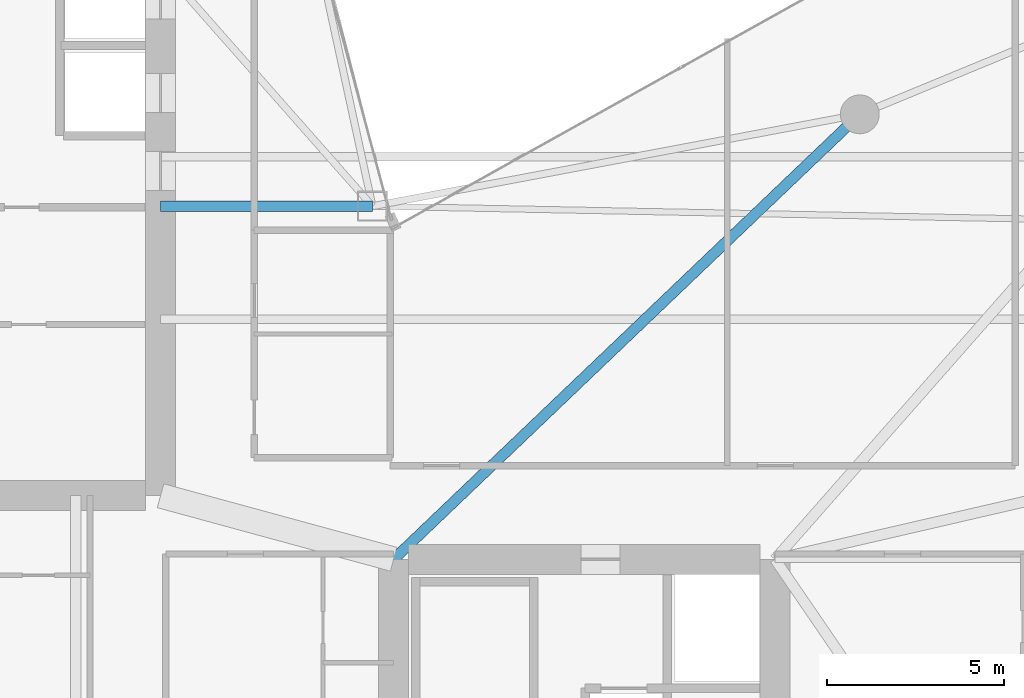
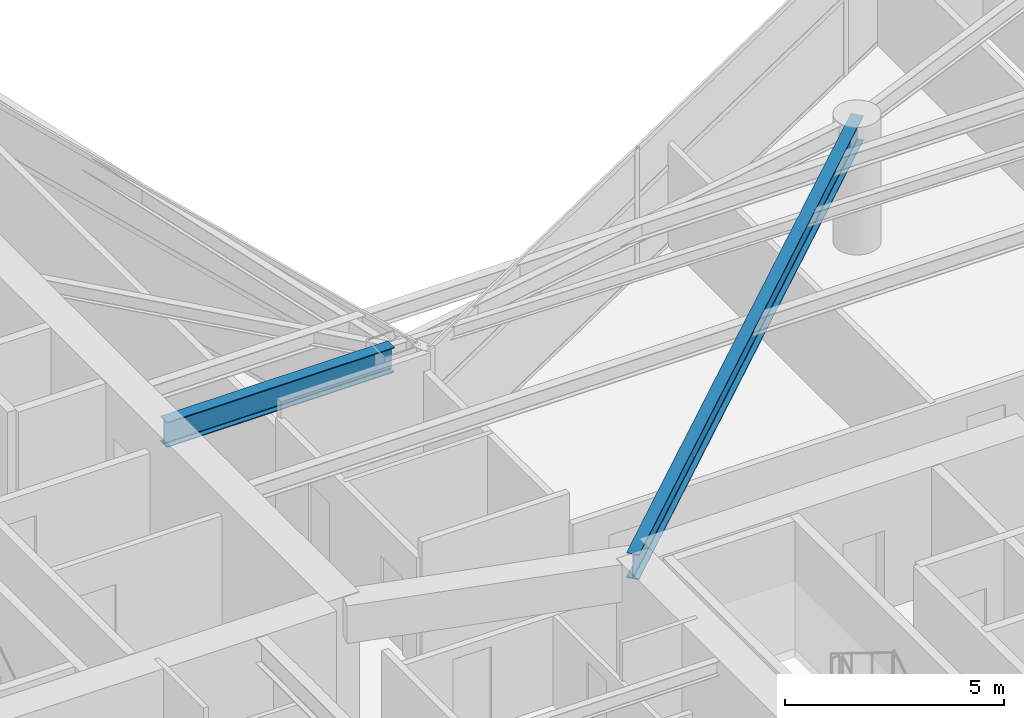
# One storey, part 9 of 28: 2 beams.
"""IFC4 building model written with IfcOpenShell, lengths in metres."""

from ifc_helpers import new_model, si_unit, direction, frame, origin, origin_2d, place, context, subcontext, project, spatial, i_section, extrude, material, material_profile, profile_set, type_object, element, save


model = new_model("IFC4")

# Units and contexts
model_context = context("Model", 3, precision=1e-05, world=origin(), true_north=direction((0.0, 1.0)))
body_context = subcontext(model_context, "Body", "Model", "MODEL_VIEW")
ifc_project = project(units=[si_unit("LENGTHUNIT", "METRE"), si_unit("AREAUNIT", "SQUARE_METRE"), si_unit("VOLUMEUNIT", "CUBIC_METRE"), si_unit("PLANEANGLEUNIT", "RADIAN"), si_unit("MASSUNIT", "GRAM", prefix="KILO")], contexts=[model_context])

# Site, building, storey
site_placement = place(None, origin())
site = spatial("IfcSite", under=ifc_project, at=site_placement, CompositionType="ELEMENT")
building_placement = place(site_placement, origin())
building = spatial("IfcBuilding", under=site, at=building_placement, Name="Calvorn Quay Hotel", CompositionType="ELEMENT")
storey_placement = place(building_placement, frame((0.0, 0.0, 131.60009765625)))
storey = spatial("IfcBuildingStorey", under=building, at=storey_placement, Name="L32", CompositionType="ELEMENT", Elevation=131.60009765625)

# Beams
ifc_material = material(Name="Steel Q390GJC", Category="steel")
ifc_material_profile = material_profile(ifc_material, i_section(OverallWidth=0.300048828125, OverallDepth=0.699951171875, WebThickness=0.012939453125, FlangeThickness=0.02392578125, FilletRadius=0.02392578125, at=origin_2d()), Name="HN700x300x13x24")
ifc_profile_set = profile_set([ifc_material_profile], Name="Steel Q390GJC")
beam_type = type_object("IfcBeamType", Name="BM-GIRD-MAIN", PredefinedType="BEAM", material=ifc_profile_set)
beam_1_placement = place(storey_placement, frame((21.0, 25.0, 3.18994140625), z_axis=(-1.0, 0.0, 0.0), x_axis=(0.0, -1.0, 0.0)))
element("IfcBeam", 1, at=beam_1_placement, inside=storey, type_object=beam_type, Name="Beam BG-L32-W7", PredefinedType="BEAM", context=body_context, shape_type="SweptSolid", body=[
    extrude(i_section(OverallWidth=0.300048828125, OverallDepth=0.699951171875, WebThickness=0.012939453125, FlangeThickness=0.02392578125, FilletRadius=0.02392578125, at=origin_2d()), origin(), (0.0, 0.0, 1.0), 6.0),
])
beam_2_placement = place(storey_placement, frame((21.60009765625, 15.0, 3.18994140625), z_axis=(0.723351595578, 0.690479883252, 0.0), x_axis=(-0.690479883252, 0.723351595578, 0.0)))
element("IfcBeam", 2, at=beam_2_placement, inside=storey, type_object=beam_type, Name="Beam BG-L32-E4", PredefinedType="BEAM", context=body_context, shape_type="SweptSolid", body=[
    extrude(i_section(OverallWidth=0.300048828125, OverallDepth=0.699951171875, WebThickness=0.012939453125, FlangeThickness=0.02392578125, FilletRadius=0.02392578125, at=origin_2d()), origin(), (0.0, 0.0, 1.0), 18.248291015625),
])

save(model, "model.ifc")
